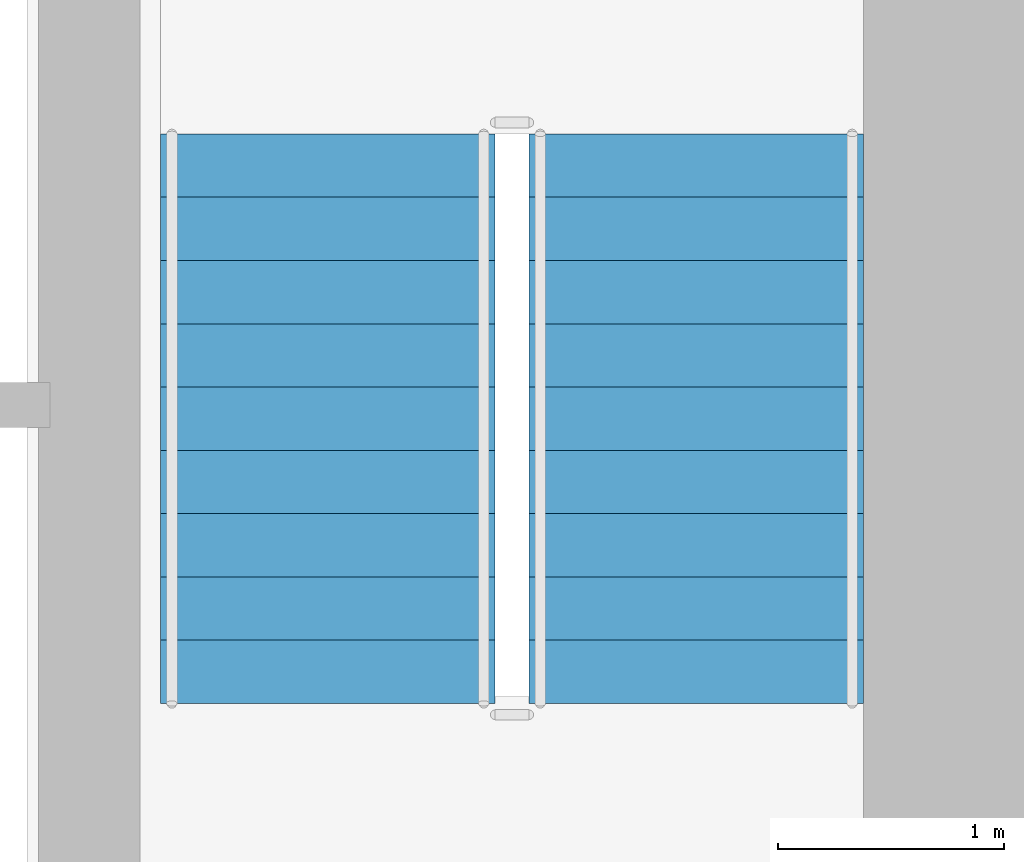
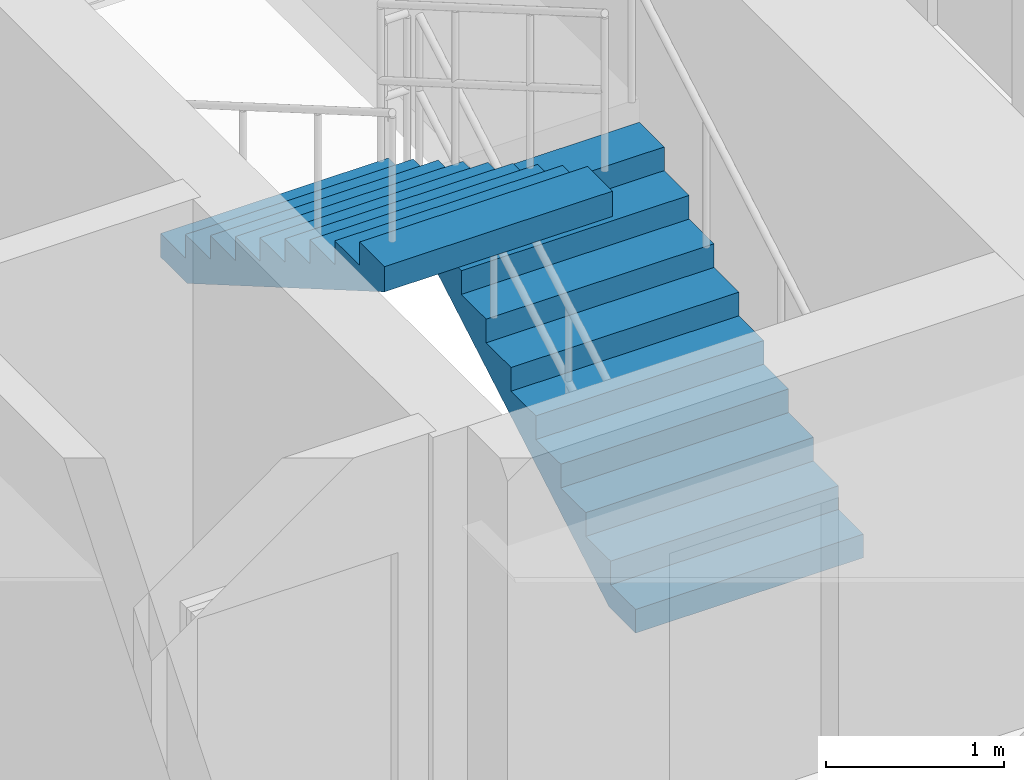
# One storey, part 36 of 38: 2 stair flights, 1 element without a shape of its own.
"""IFC4 building model written with IfcOpenShell, lengths in metres."""

from ifc_helpers import new_model, si_unit, direction, frame, origin, place, context, subcontext, project, spatial, polyline, outline, extrude, material, type_object, element, aggregate, save


model = new_model("IFC4")

# Units and contexts
model_context = context("Model", 3, precision=1e-05, world=origin(), true_north=direction((0.0, 1.0)))
body_context = subcontext(model_context, "Body", "Model", "MODEL_VIEW")
ifc_project = project(units=[si_unit("LENGTHUNIT", "METRE"), si_unit("AREAUNIT", "SQUARE_METRE"), si_unit("VOLUMEUNIT", "CUBIC_METRE"), si_unit("PLANEANGLEUNIT", "RADIAN"), si_unit("MASSUNIT", "GRAM", prefix="KILO")], contexts=[model_context])

# Site, building, storey
site_placement = place(None, origin())
site = spatial("IfcSite", under=ifc_project, at=site_placement, CompositionType="ELEMENT")
building_placement = place(site_placement, origin())
building = spatial("IfcBuilding", under=site, at=building_placement, Name="Veraguas Prism Commons", CompositionType="ELEMENT")
storey_placement = place(building_placement, frame((0.0, 0.0, 60.85009765625)))
storey = spatial("IfcBuildingStorey", under=building, at=storey_placement, Name="L16", CompositionType="ELEMENT", Elevation=60.85009765625)

# Stair, stair flights
ifc_material = material(Name="Precast concrete C45/55", Category="concrete")
stair_type = type_object("IfcStairType", Name="Dogleg Core Stair 1480W 20R 05", PredefinedType="HALF_TURN_STAIR", material=ifc_material)
stair_placement = place(storey_placement, origin())
stair = element("IfcStair", 1, at=stair_placement, inside=storey, type_object=stair_type, Name="Protected Exit Stair ST-02 L16", PredefinedType="HALF_TURN_STAIR")
stair_flight_type = type_object("IfcStairFlightType", Name="Precast Stair Flight 1480W 10R 05", PredefinedType="STRAIGHT", material=ifc_material)
stair_flight_1_placement = place(storey_placement, frame((29.659912109375, 21.280029296875, 0.0), z_axis=(0.0, 0.0, 1.0), x_axis=(0.0, 1.0, 0.0)))
stair_flight_1 = element("IfcStairFlight", 2, at=stair_flight_1_placement, type_object=stair_flight_type, Name="ST-05 Flight 1", NumberOfRisers=10, NumberOfTreads=9, PredefinedType="STRAIGHT", RiserHeight=0.1625, TreadLength=0.28, context=body_context, shape_type="SweptSolid", body=[
    extrude(outline(polyline([(0.0, 0.0), (0.0, 0.16259765625), (0.280029296875, 0.16259765625), (0.280029296875, 0.324951171875), (0.56005859375, 0.324951171875), (0.56005859375, 0.487548828125), (0.840087890625, 0.487548828125), (0.840087890625, 0.64990234375), (1.1201171875, 0.64990234375), (1.1201171875, 0.8125), (1.39990234375, 0.8125), (1.39990234375, 0.97509765625), (1.679931640625, 0.97509765625), (1.679931640625, 1.137451171875), (1.9599609375, 1.137451171875), (1.9599609375, 1.300048828125), (2.239990234375, 1.300048828125), (2.239990234375, 1.46240234375), (2.52001953125, 1.46240234375), (2.52001953125, 1.625), (2.52001953125, 1.2890625), (0.298583984375, 0.0), (0.0, 0.0)])), frame((0.0, 0.739990234375, 0.0), z_axis=(0.0, -1.0, 0.0), x_axis=(1.0, 0.0, 0.0)), (0.0, 0.0, 1.0), 1.47998046875),
])
stair_flight_2_placement = place(storey_placement, frame((28.030029296875, 23.800048828125, 1.625), z_axis=(0.0, 0.0, 1.0), x_axis=(0.0, -1.0, 0.0)))
stair_flight_2 = element("IfcStairFlight", 3, at=stair_flight_2_placement, type_object=stair_flight_type, Name="ST-05 Flight 2", NumberOfRisers=10, NumberOfTreads=9, PredefinedType="STRAIGHT", RiserHeight=0.1625, TreadLength=0.28, context=body_context, shape_type="SweptSolid", body=[
    extrude(outline(polyline([(0.0, 0.0), (0.0, 0.16259765625), (0.280029296875, 0.16259765625), (0.280029296875, 0.324951171875), (0.56005859375, 0.324951171875), (0.56005859375, 0.487548828125), (0.840087890625, 0.487548828125), (0.840087890625, 0.64990234375), (1.1201171875, 0.64990234375), (1.1201171875, 0.8125), (1.39990234375, 0.8125), (1.39990234375, 0.97509765625), (1.679931640625, 0.97509765625), (1.679931640625, 1.137451171875), (1.9599609375, 1.137451171875), (1.9599609375, 1.300048828125), (2.239990234375, 1.300048828125), (2.239990234375, 1.46240234375), (2.52001953125, 1.46240234375), (2.52001953125, 1.625), (2.52001953125, 1.2890625), (0.298583984375, 0.0), (0.0, 0.0)])), frame((0.0, 0.739990234375, 0.0), z_axis=(0.0, -1.0, 0.0), x_axis=(1.0, 0.0, 0.0)), (0.0, 0.0, 1.0), 1.47998046875),
])
aggregate(stair, [stair_flight_1, stair_flight_2])

save(model, "model.ifc")
